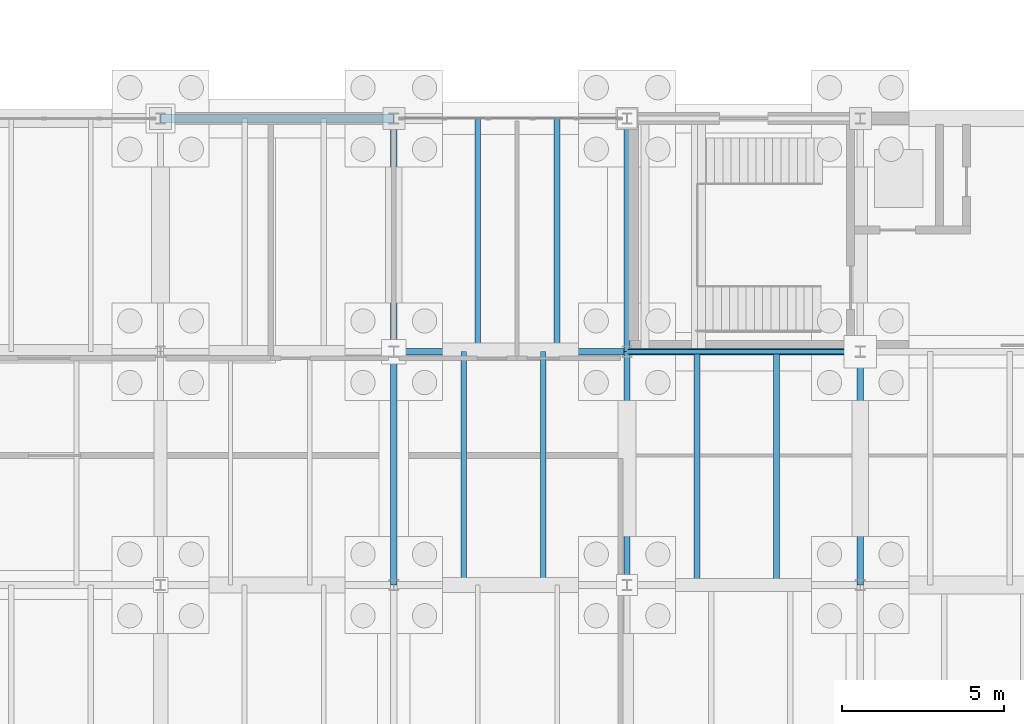
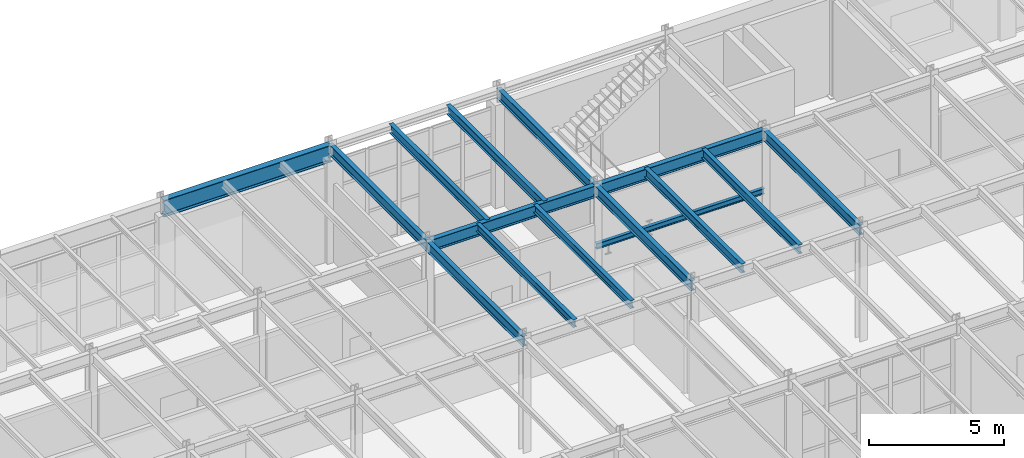
# One storey, part 79 of 293: 15 beams.
"""IFC4 building model written with IfcOpenShell, lengths in metres."""

from ifc_helpers import new_model, si_unit, direction, frame, origin, origin_2d, place, context, subcontext, project, spatial, i_section, extrude, material, material_profile, profile_set, type_object, element, save


model = new_model("IFC4")

# Units and contexts
model_context = context("Model", 3, precision=1e-05, world=origin(), true_north=direction((0.0, 1.0)))
body_context = subcontext(model_context, "Body", "Model", "MODEL_VIEW")
ifc_project = project(units=[si_unit("LENGTHUNIT", "METRE"), si_unit("AREAUNIT", "SQUARE_METRE"), si_unit("VOLUMEUNIT", "CUBIC_METRE"), si_unit("PLANEANGLEUNIT", "RADIAN"), si_unit("MASSUNIT", "GRAM", prefix="KILO")], contexts=[model_context])

# Site, building, storey
site_placement = place(None, origin())
site = spatial("IfcSite", under=ifc_project, at=site_placement, CompositionType="ELEMENT")
building_placement = place(site_placement, origin())
building = spatial("IfcBuilding", under=site, at=building_placement, Name="Kemerveld Promenade Tramway Depot", CompositionType="ELEMENT")
storey_placement = place(building_placement, origin())
storey = spatial("IfcBuildingStorey", under=building, at=storey_placement, Name="L00", CompositionType="ELEMENT", Elevation=0.0)

# Beams
ifc_material = material(Name="Steel S355", Category="steel")
ifc_material_profile_1 = material_profile(ifc_material, i_section(OverallWidth=0.2666015625, OverallDepth=0.76220703125, WebThickness=0.014404296875, FlangeThickness=0.021484375, FilletRadius=0.0166015625, at=origin_2d()), Name="762x267x173 UB")
ifc_profile_set_1 = profile_set([ifc_material_profile_1], Name="Steel S355")
beam_type_1 = type_object("IfcBeamType", Name="BM-G02", PredefinedType="BEAM", material=ifc_profile_set_1)
beam_1_placement = place(storey_placement, frame((72.0, 28.800048828125, 4.7939453125), z_axis=(1.0, 0.0, 0.0), x_axis=(0.0, 1.0, 0.0)))
element("IfcBeam", 1, at=beam_1_placement, inside=storey, type_object=beam_type_1, Name="BMX-L00-11-12-E", PredefinedType="BEAM", context=body_context, shape_type="SweptSolid", body=[
    extrude(i_section(OverallWidth=0.2666015625, OverallDepth=0.76220703125, WebThickness=0.014404296875, FlangeThickness=0.021484375, FilletRadius=0.0166015625, at=origin_2d()), origin(), (0.0, 0.0, 1.0), 7.199951171875),
])
ifc_material_profile_2 = material_profile(ifc_material, i_section(OverallWidth=0.2099609375, OverallDepth=0.53662109375, WebThickness=0.0107421875, FlangeThickness=0.017333984375, FilletRadius=0.0126953125, at=origin_2d()), Name="533x210x101 UB")
ifc_profile_set_2 = profile_set([ifc_material_profile_2], Name="Steel S355")
beam_type_2 = type_object("IfcBeamType", Name="BM-G05", PredefinedType="BEAM", material=ifc_profile_set_2)
beam_2_placement = place(storey_placement, frame((79.199951171875, 21.60009765625, 4.906494140625), z_axis=(1.0, 0.0, 0.0), x_axis=(0.0, 1.0, 0.0)))
element("IfcBeam", 2, at=beam_2_placement, inside=storey, type_object=beam_type_2, Name="BMX-L00-12-13-D", PredefinedType="BEAM", context=body_context, shape_type="SweptSolid", body=[
    extrude(i_section(OverallWidth=0.2099609375, OverallDepth=0.53662109375, WebThickness=0.0107421875, FlangeThickness=0.017333984375, FilletRadius=0.0126953125, at=origin_2d()), origin(), (0.0, 0.0, 1.0), 7.199951171875),
])
beam_3_placement = place(storey_placement, frame((86.39990234375, 21.60009765625, 4.906494140625), z_axis=(1.0, 0.0, 0.0), x_axis=(0.0, 1.0, 0.0)))
element("IfcBeam", 3, at=beam_3_placement, inside=storey, type_object=beam_type_2, Name="BMX-L00-13-14-D", PredefinedType="BEAM", context=body_context, shape_type="SweptSolid", body=[
    extrude(i_section(OverallWidth=0.2099609375, OverallDepth=0.53662109375, WebThickness=0.0107421875, FlangeThickness=0.017333984375, FilletRadius=0.0126953125, at=origin_2d()), origin(), (0.0, 0.0, 1.0), 7.2001953125),
])
ifc_material_profile_3 = material_profile(ifc_material, i_section(OverallWidth=0.19140625, OverallDepth=0.4599609375, WebThickness=0.010009765625, FlangeThickness=0.01611328125, FilletRadius=0.01025390625, at=origin_2d()), Name="457x191x82 UB")
ifc_profile_set_3 = profile_set([ifc_material_profile_3], Name="Steel S355")
beam_type_3 = type_object("IfcBeamType", Name="BM-G06", PredefinedType="BEAM", material=ifc_profile_set_3)
beam_4_placement = place(storey_placement, frame((79.199951171875, 14.39990234375, 4.945068359375), z_axis=(0.0, 1.0, 0.0), x_axis=(-1.0, 0.0, 0.0)))
element("IfcBeam", 4, at=beam_4_placement, inside=storey, type_object=beam_type_3, Name="BMY-L00-12-C-D", PredefinedType="BEAM", context=body_context, shape_type="SweptSolid", body=[
    extrude(i_section(OverallWidth=0.19140625, OverallDepth=0.4599609375, WebThickness=0.010009765625, FlangeThickness=0.01611328125, FilletRadius=0.01025390625, at=origin_2d()), origin(), (0.0, 0.0, 1.0), 7.2001953125),
])
beam_5_placement = place(storey_placement, frame((79.199951171875, 21.60009765625, 4.945068359375), z_axis=(0.0, 1.0, 0.0), x_axis=(-1.0, 0.0, 0.0)))
element("IfcBeam", 5, at=beam_5_placement, inside=storey, type_object=beam_type_3, Name="BMY-L00-12-D-E", PredefinedType="BEAM", context=body_context, shape_type="SweptSolid", body=[
    extrude(i_section(OverallWidth=0.19140625, OverallDepth=0.4599609375, WebThickness=0.010009765625, FlangeThickness=0.01611328125, FilletRadius=0.01025390625, at=origin_2d()), origin(), (0.0, 0.0, 1.0), 7.199951171875),
])
beam_6_placement = place(storey_placement, frame((86.39990234375, 14.39990234375, 4.945068359375), z_axis=(0.0, 1.0, 0.0), x_axis=(-1.0, 0.0, 0.0)))
element("IfcBeam", 6, at=beam_6_placement, inside=storey, type_object=beam_type_3, Name="BMY-L00-13-C-D", PredefinedType="BEAM", context=body_context, shape_type="SweptSolid", body=[
    extrude(i_section(OverallWidth=0.19140625, OverallDepth=0.4599609375, WebThickness=0.010009765625, FlangeThickness=0.01611328125, FilletRadius=0.01025390625, at=origin_2d()), origin(), (0.0, 0.0, 1.0), 7.2001953125),
])
beam_7_placement = place(storey_placement, frame((86.39990234375, 21.60009765625, 4.945068359375), z_axis=(0.0, 1.0, 0.0), x_axis=(-1.0, 0.0, 0.0)))
element("IfcBeam", 7, at=beam_7_placement, inside=storey, type_object=beam_type_3, Name="BMY-L00-13-D-E", PredefinedType="BEAM", context=body_context, shape_type="SweptSolid", body=[
    extrude(i_section(OverallWidth=0.19140625, OverallDepth=0.4599609375, WebThickness=0.010009765625, FlangeThickness=0.01611328125, FilletRadius=0.01025390625, at=origin_2d()), origin(), (0.0, 0.0, 1.0), 7.199951171875),
])
beam_8_placement = place(storey_placement, frame((93.60009765625, 14.39990234375, 4.945068359375), z_axis=(0.0, 1.0, 0.0), x_axis=(-1.0, 0.0, 0.0)))
element("IfcBeam", 8, at=beam_8_placement, inside=storey, type_object=beam_type_3, Name="BMY-L00-14-C-D", PredefinedType="BEAM", context=body_context, shape_type="SweptSolid", body=[
    extrude(i_section(OverallWidth=0.19140625, OverallDepth=0.4599609375, WebThickness=0.010009765625, FlangeThickness=0.01611328125, FilletRadius=0.01025390625, at=origin_2d()), origin(), (0.0, 0.0, 1.0), 7.2001953125),
])
ifc_material_profile_4 = material_profile(ifc_material, i_section(OverallWidth=0.146484375, OverallDepth=0.256103515625, WebThickness=0.00634765625, FlangeThickness=0.010986328125, FilletRadius=0.007568359375, at=origin_2d()), Name="254x146x37 UB")
ifc_profile_set_4 = profile_set([ifc_material_profile_4], Name="Steel S355")
beam_type_4 = type_object("IfcBeamType", Name="BM-J02", PredefinedType="JOIST", material=ifc_profile_set_4)
beam_9_placement = place(storey_placement, frame((86.39990234375, 21.60009765625, 2.3720703125), z_axis=(1.0, 0.0, 0.0), x_axis=(0.0, 1.0, 0.0)))
element("IfcBeam", 9, at=beam_9_placement, inside=storey, type_object=beam_type_4, Name="BM-HLY-ST-04-L00-S", PredefinedType="JOIST", context=body_context, shape_type="SweptSolid", body=[
    extrude(i_section(OverallWidth=0.146484375, OverallDepth=0.256103515625, WebThickness=0.00634765625, FlangeThickness=0.010986328125, FilletRadius=0.007568359375, at=origin_2d()), origin(), (0.0, 0.0, 1.0), 7.2001953125),
])
ifc_material_profile_5 = material_profile(ifc_material, i_section(OverallWidth=0.172119140625, OverallDepth=0.35791015625, WebThickness=0.008056640625, FlangeThickness=0.012939453125, FilletRadius=0.01025390625, at=origin_2d()), Name="356x171x57 UB")
ifc_profile_set_5 = profile_set([ifc_material_profile_5], Name="Steel S355")
beam_type_5 = type_object("IfcBeamType", Name="BM-J04", PredefinedType="JOIST", material=ifc_profile_set_5)
for number, where, z_axis, x_axis, name in (
    (10, (81.360107421875, 14.39990234375, 4.99609375), (0.0, 1.0, 0.0), (-1.0, 0.0, 0.0), "JST-L00-12-C-1"),
    (11, (83.80810546875, 14.39990234375, 4.99609375), (0.0, 1.0, 0.0), (-1.0, 0.0, 0.0), "JST-L00-12-C-2"),
):
    element("IfcBeam", number, at=place(storey_placement, frame(where, z_axis=z_axis, x_axis=x_axis)), inside=storey, type_object=beam_type_5, Name=name, PredefinedType="JOIST", context=body_context, shape_type="SweptSolid", body=[
        extrude(i_section(OverallWidth=0.172119140625, OverallDepth=0.35791015625, WebThickness=0.008056640625, FlangeThickness=0.012939453125, FilletRadius=0.01025390625, at=origin_2d()), origin(), (0.0, 0.0, 1.0), 7.2001953125),
    ])
ifc_material_profile_6 = material_profile(ifc_material, i_section(OverallWidth=0.1787109375, OverallDepth=0.409423828125, WebThickness=0.0087890625, FlangeThickness=0.014404296875, FilletRadius=0.01025390625, at=origin_2d()), Name="406x178x67 UB")
ifc_profile_set_6 = profile_set([ifc_material_profile_6], Name="Steel S355")
beam_type_6 = type_object("IfcBeamType", Name="BM-J05", PredefinedType="JOIST", material=ifc_profile_set_6)
for number, where, z_axis, x_axis, name in (
    (12, (81.7919921875, 21.60009765625, 4.97021484375), (0.0, 1.0, 0.0), (-1.0, 0.0, 0.0), "JST-L00-12-D-1"),
    (13, (84.239990234375, 21.60009765625, 4.97021484375), (0.0, 1.0, 0.0), (-1.0, 0.0, 0.0), "JST-L00-12-D-2"),
):
    element("IfcBeam", number, at=place(storey_placement, frame(where, z_axis=z_axis, x_axis=x_axis)), inside=storey, type_object=beam_type_6, Name=name, PredefinedType="JOIST", context=body_context, shape_type="SweptSolid", body=[
        extrude(i_section(OverallWidth=0.1787109375, OverallDepth=0.409423828125, WebThickness=0.0087890625, FlangeThickness=0.014404296875, FilletRadius=0.01025390625, at=origin_2d()), origin(), (0.0, 0.0, 1.0), 7.199951171875),
    ])
for number, where, z_axis, x_axis, name in (
    (14, (88.56005859375, 14.39990234375, 4.97021484375), (0.0, 1.0, 0.0), (-1.0, 0.0, 0.0), "JST-L00-13-C-1"),
    (15, (91.008056640625, 14.39990234375, 4.97021484375), (0.0, 1.0, 0.0), (-1.0, 0.0, 0.0), "JST-L00-13-C-2"),
):
    element("IfcBeam", number, at=place(storey_placement, frame(where, z_axis=z_axis, x_axis=x_axis)), inside=storey, type_object=beam_type_6, Name=name, PredefinedType="JOIST", context=body_context, shape_type="SweptSolid", body=[
        extrude(i_section(OverallWidth=0.1787109375, OverallDepth=0.409423828125, WebThickness=0.0087890625, FlangeThickness=0.014404296875, FilletRadius=0.01025390625, at=origin_2d()), origin(), (0.0, 0.0, 1.0), 7.2001953125),
    ])

save(model, "model.ifc")
